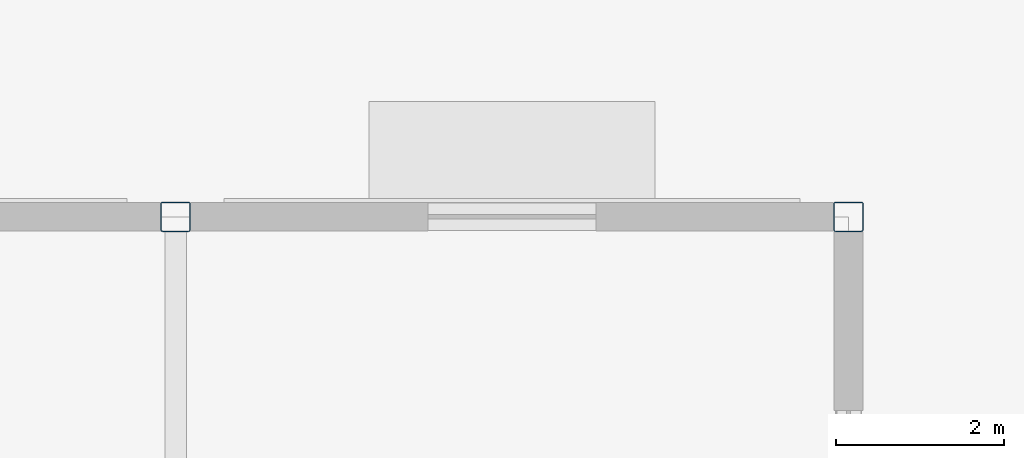
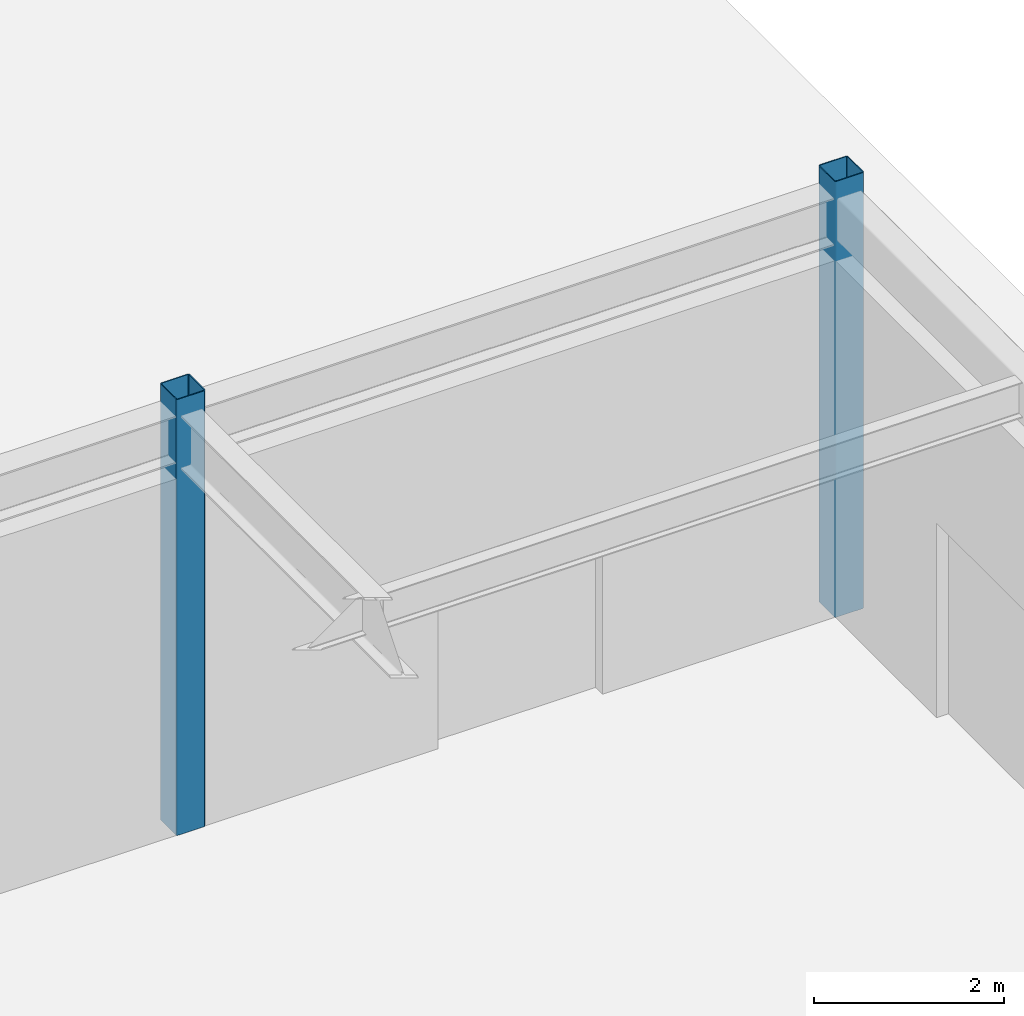
# One storey, part 27 of 128: 2 columns.
"""IFC4 building model written with IfcOpenShell, lengths in metres."""

import ifcopenshell
import ifcopenshell.guid

model = None  # the IFC model being written
_history = None  # IfcOwnerHistory: only IFC2X3 demands one
_inside = {}  # id of a spatial element -> (the spatial element, [elements in it])
_under = {}  # id of a project, library or spatial element -> (it, [spatial elements below it])
_declared = {}  # id of a project -> (the project, [libraries it declares])
_typed = {}  # id of a type object -> (the type object, [elements of that type])
_made_of = {}  # id of a material, layer set ... -> (it, [elements and type objects made of it])


def new_model(schema):
    """Start an empty IFC model of exactly this schema.

    Asked for "IFC4X3", IfcOpenShell would pick the latest addendum, in which some entities
    have other attributes; the version numbers below select the first issue.
    IFC2X3 requires an IfcOwnerHistory on every rooted entity: one is made here for all.
    """
    global model, _history
    if schema == "IFC4X3":
        model = ifcopenshell.file(schema_version=(4, 3, 0, 0))
    else:
        model = ifcopenshell.file(schema=schema)
    _inside.clear()
    _under.clear()
    _declared.clear()
    _typed.clear()
    _made_of.clear()
    _history = None
    if model.schema == "IFC2X3":
        org = make("IfcOrganization", Name="unknown")
        user = make(
            "IfcPersonAndOrganization",
            ThePerson=make("IfcPerson", FamilyName="unknown"),
            TheOrganization=org,
        )
        app = make(
            "IfcApplication",
            ApplicationDeveloper=org,
            Version="unknown",
            ApplicationFullName="unknown",
            ApplicationIdentifier="unknown",
        )
        _history = make(
            "IfcOwnerHistory",
            OwningUser=user,
            OwningApplication=app,
            ChangeAction="ADDED",
            CreationDate=0,
        )
    return model


def make(cls, **values):
    """One entity of the class cls with the attributes given. An attribute that is None is left unset."""
    return model.create_entity(
        cls, **{name: value for name, value in values.items() if value is not None}
    )


def rooted(cls, **values):
    """An entity with a GlobalId (a new one), such as an element, a storey or a relation."""
    return make(cls, GlobalId=ifcopenshell.guid.new(), OwnerHistory=_history, **values)


def si_unit(unit_type, name, prefix=None):
    """IfcSIUnit, for example si_unit("LENGTHUNIT", "METRE", prefix="MILLI")."""
    return make("IfcSIUnit", UnitType=unit_type, Prefix=prefix, Name=name)


def assignment(units):
    """IfcUnitAssignment: the units of a project."""
    return None if units is None else make("IfcUnitAssignment", Units=units)


def point(xyz):
    """IfcCartesianPoint."""
    return None if xyz is None else make("IfcCartesianPoint", Coordinates=xyz)


def direction(xyz):
    """IfcDirection."""
    return None if xyz is None else make("IfcDirection", DirectionRatios=xyz)


def frame(location, z_axis=None, x_axis=None):
    """IfcAxis2Placement3D, a coordinate frame: its origin and axes. An axis left out is left unset."""
    return make(
        "IfcAxis2Placement3D",
        Location=point(location),
        Axis=direction(z_axis),
        RefDirection=direction(x_axis),
    )


def frame_2d(location, x_axis=None):
    """IfcAxis2Placement2D, a coordinate frame in the plane: its origin and x axis."""
    return make(
        "IfcAxis2Placement2D", Location=point(location), RefDirection=direction(x_axis)
    )


def origin():
    """The frame at (0, 0, 0) with its axes left unset."""
    return frame((0.0, 0.0, 0.0))


def origin_2d():
    """The frame at (0, 0) in the plane with its x axis left unset."""
    return frame_2d((0.0, 0.0))


def place(relative_to, where):
    """IfcLocalPlacement: puts the frame where relative to a parent placement (None: the world)."""
    return make(
        "IfcLocalPlacement", PlacementRelTo=relative_to, RelativePlacement=where
    )


def context(
    kind, dimensions, precision=None, world=None, true_north=None, identifier=None
):
    """IfcGeometricRepresentationContext, for example the 3D "Model" context."""
    return make(
        "IfcGeometricRepresentationContext",
        ContextIdentifier=identifier,
        ContextType=kind,
        CoordinateSpaceDimension=dimensions,
        Precision=precision,
        WorldCoordinateSystem=world,
        TrueNorth=true_north,
    )


def subcontext(parent, identifier, kind, view, scale=None):
    """IfcGeometricRepresentationSubContext, for example "Body" below "Model"."""
    return make(
        "IfcGeometricRepresentationSubContext",
        ContextIdentifier=identifier,
        ContextType=kind,
        ParentContext=parent,
        TargetScale=scale,
        TargetView=view,
    )


def project(units=None, contexts=None):
    """IfcProject with its units and contexts."""
    return rooted(
        "IfcProject",
        Name="project",
        RepresentationContexts=contexts,
        UnitsInContext=assignment(units),
    )


def spatial(cls, under=None, at=None, **own):
    """A site, building, storey or space (cls), placed at a placement, below another one or the project."""
    s = rooted(cls, ObjectPlacement=at, **own)
    if under is not None:
        _under.setdefault(under.id(), (under, []))[1].append(s)
    return s


def profile(cls, at=None, kind="AREA", **sizes):
    """A parametric profile (cls). Its sizes go by their IFC names, for example OverallWidth=200.0."""
    return make(cls, ProfileType=kind, Position=at, **sizes)


def hollow_rectangle(**sizes):
    """IfcRectangleHollowProfileDef."""
    return profile("IfcRectangleHollowProfileDef", **sizes)


def extrude(swept, where, along, depth):
    """IfcExtrudedAreaSolid: the profile swept, set in the frame where, extruded along a direction by depth."""
    return make(
        "IfcExtrudedAreaSolid",
        SweptArea=swept,
        Position=where,
        ExtrudedDirection=direction(along),
        Depth=depth,
    )


def shape(context_of_items, identifier, shape_type, items):
    """IfcShapeRepresentation: the items that make up one representation, for example the "Body"."""
    return make(
        "IfcShapeRepresentation",
        ContextOfItems=context_of_items,
        RepresentationIdentifier=identifier,
        RepresentationType=shape_type,
        Items=items,
    )


def material(Name=None, Category=None):
    """IfcMaterial."""
    return make("IfcMaterial", Name=Name, Category=Category)


def material_profile(
    of_material, cross_section, Name=None, Category=None, Priority=None
):
    """IfcMaterialProfile: a cross section and its material."""
    return make(
        "IfcMaterialProfile",
        Name=Name,
        Material=of_material,
        Profile=cross_section,
        Priority=Priority,
        Category=Category,
    )


def profile_set(profiles, Name=None, composite=None):
    """IfcMaterialProfileSet."""
    return make(
        "IfcMaterialProfileSet",
        Name=Name,
        MaterialProfiles=profiles,
        CompositeProfile=composite,
    )


def made_of(thing, what):
    """Note that an element or type object is made of a material, layer set ...; save() writes the relation."""
    if what is not None:
        _made_of.setdefault(what.id(), (what, []))[1].append(thing)
    return thing


def type_object(cls, material=None, **own):
    """A type object (cls), such as IfcWallType, which elements share."""
    return made_of(rooted(cls, **own), material)


def element(
    cls,
    number,
    at=None,
    inside=None,
    cuts=None,
    type_object=None,
    material=None,
    context=None,
    identifier="Body",
    shape_type=None,
    held_by="IfcProductDefinitionShape",
    body=None,
    shapes=None,
    **own,
):
    """One element of the class cls, such as IfcWall. Its Tag is "e" and its number.

    at: its placement. inside: the storey or other place that contains it. cuts: it is an
    opening in that element (IfcRelVoidsElement). A single representation is given by context,
    identifier, shape_type and body (its items); several are given by shapes. held_by: the class
    of the entity that holds the representations. save() writes the other relations.
    """
    e = rooted(cls, Tag="e%d" % number, ObjectPlacement=at, **own)
    if body is not None:
        shapes = [shape(context, identifier, shape_type, body)]
    if shapes is not None:
        e.Representation = make(held_by, Representations=shapes)
    if inside is not None:
        _inside.setdefault(inside.id(), (inside, []))[1].append(e)
    if cuts is not None:
        rooted(
            "IfcRelVoidsElement", RelatingBuildingElement=cuts, RelatedOpeningElement=e
        )
    if type_object is not None:
        _typed.setdefault(type_object.id(), (type_object, []))[1].append(e)
    return made_of(e, material)


def aggregate(whole, parts):
    """IfcRelAggregates: a whole, such as a stair, and the parts it consists of."""
    return rooted("IfcRelAggregates", RelatingObject=whole, RelatedObjects=parts)


def save(model, path):
    """Write the relations noted so far, then the file.

    IfcRelAggregates (storeys below a building ...), IfcRelContainedInSpatialStructure (elements
    in a storey), IfcRelDefinesByType, IfcRelAssociatesMaterial and IfcRelDeclares: one each for
    every whole, place, type object, material and project.
    """
    for whole, parts in _under.values():
        aggregate(whole, parts)
    for where, things in _inside.values():
        rooted(
            "IfcRelContainedInSpatialStructure",
            RelatedElements=things,
            RelatingStructure=where,
        )
    for kind, things in _typed.values():
        rooted("IfcRelDefinesByType", RelatedObjects=things, RelatingType=kind)
    for what, things in _made_of.values():
        rooted("IfcRelAssociatesMaterial", RelatedObjects=things, RelatingMaterial=what)
    for by, libraries in _declared.values():
        rooted("IfcRelDeclares", RelatingContext=by, RelatedDefinitions=libraries)
    model.write(path)


model = new_model("IFC4")

# Units and contexts
model_context = context("Model", 3, precision=1e-05, world=origin(), true_north=direction((0.0, 1.0)))
body_context = subcontext(model_context, "Body", "Model", "MODEL_VIEW")
ifc_project = project(units=[si_unit("LENGTHUNIT", "METRE"), si_unit("AREAUNIT", "SQUARE_METRE"), si_unit("VOLUMEUNIT", "CUBIC_METRE"), si_unit("PLANEANGLEUNIT", "RADIAN"), si_unit("MASSUNIT", "GRAM", prefix="KILO")], contexts=[model_context])

# Site, building, storey
site_placement = place(None, origin())
site = spatial("IfcSite", under=ifc_project, at=site_placement, CompositionType="ELEMENT")
building_placement = place(site_placement, origin())
building = spatial("IfcBuilding", under=site, at=building_placement, Name="Solmirada Galleria", CompositionType="ELEMENT")
storey_placement = place(building_placement, origin())
storey = spatial("IfcBuildingStorey", under=building, at=storey_placement, Name="L00", CompositionType="ELEMENT", Elevation=0.0)

# Columns
ifc_material = material(Name="Steel S355 / ASTM A500 Grade C", Category="steel")
ifc_material_profile = material_profile(ifc_material, hollow_rectangle(XDim=0.35595703125, YDim=0.35595703125, WallThickness=0.01171875, InnerFilletRadius=0.01171875, OuterFilletRadius=0.023681640625, at=origin_2d()), Name="HSS14X14X1/2")
ifc_profile_set = profile_set([ifc_material_profile], Name="Steel S355 / ASTM A500 Grade C")
column_type = type_object("IfcColumnType", Name="COL-HSS14", PredefinedType="COLUMN", material=ifc_profile_set)
for number, where, z_axis, x_axis, name in (
    (1, (168.0, 32.0, 0.0), (0.0, 0.0, 1.0), (1.0, 0.0, 0.0), "Structural column L00-1454"),
    (2, (176.0, 32.0, 0.0), (0.0, 0.0, 1.0), (1.0, 0.0, 0.0), "Structural column L00-1527"),
):
    element("IfcColumn", number, at=place(storey_placement, frame(where, z_axis=z_axis, x_axis=x_axis)), inside=storey, type_object=column_type, Name=name, PredefinedType="COLUMN", context=body_context, shape_type="SweptSolid", body=[
        extrude(hollow_rectangle(XDim=0.35595703125, YDim=0.35595703125, WallThickness=0.01171875, InnerFilletRadius=0.01171875, OuterFilletRadius=0.023681640625, at=origin_2d()), origin(), (0.0, 0.0, 1.0), 5.60009765625),
    ])

save(model, "model.ifc")
